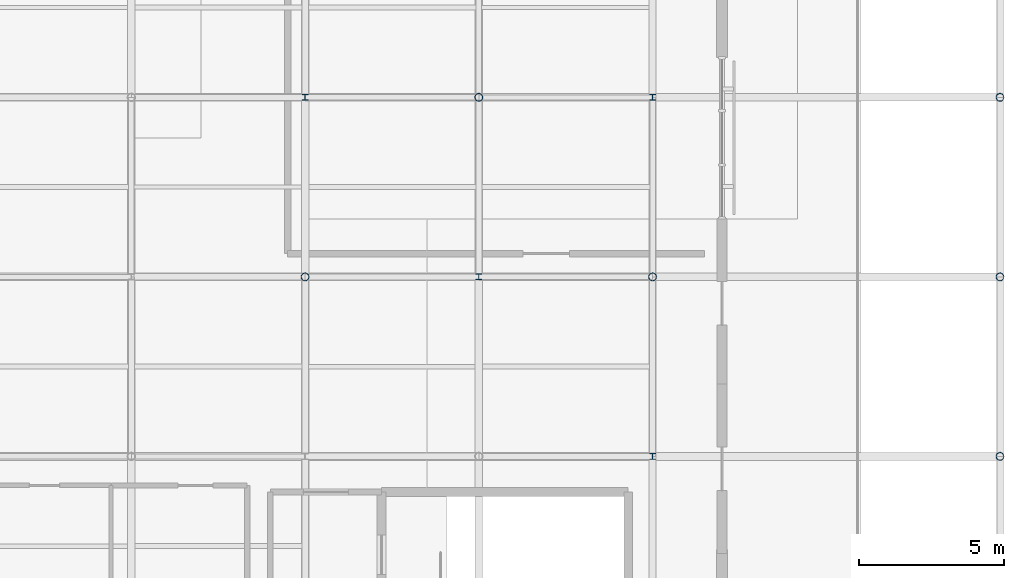
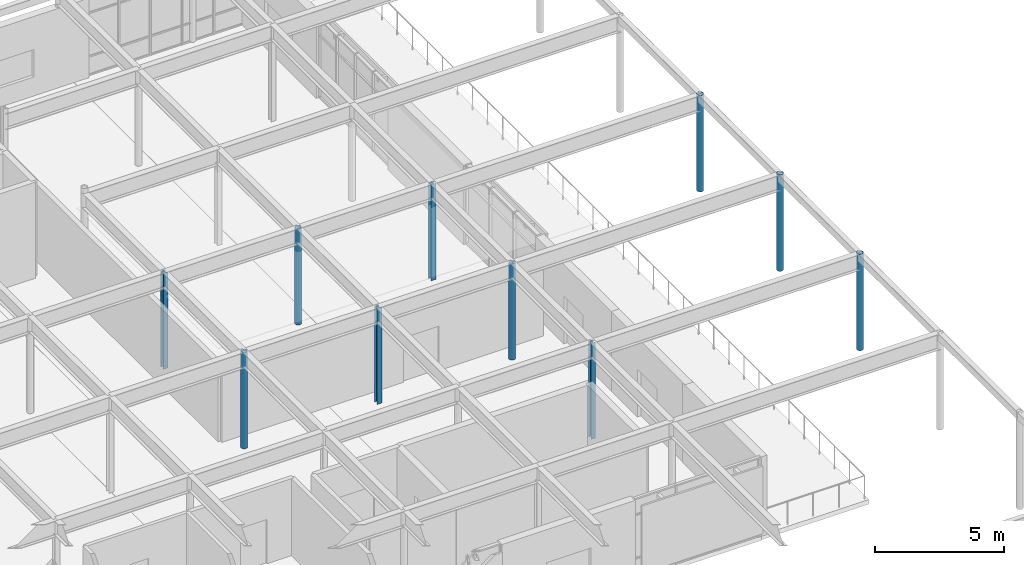
# One storey, part 7 of 48: 10 columns.
"""IFC4 building model written with IfcOpenShell, lengths in metres."""

from ifc_helpers import new_model, si_unit, direction, frame, origin, origin_2d, place, context, subcontext, project, spatial, hollow_circle, i_section, extrude, material, material_profile, profile_set, type_object, element, save


model = new_model("IFC4")

# Units and contexts
model_context = context("Model", 3, precision=1e-05, world=origin(), true_north=direction((0.0, 1.0)))
body_context = subcontext(model_context, "Body", "Model", "MODEL_VIEW")
ifc_project = project(units=[si_unit("LENGTHUNIT", "METRE"), si_unit("AREAUNIT", "SQUARE_METRE"), si_unit("VOLUMEUNIT", "CUBIC_METRE"), si_unit("PLANEANGLEUNIT", "RADIAN"), si_unit("MASSUNIT", "GRAM", prefix="KILO")], contexts=[model_context])

# Site, building, storey
site_placement = place(None, origin())
site = spatial("IfcSite", under=ifc_project, at=site_placement, CompositionType="ELEMENT")
building_placement = place(site_placement, origin())
building = spatial("IfcBuilding", under=site, at=building_placement, Name="Mirzam Square Science Centre", CompositionType="ELEMENT")
storey_placement = place(building_placement, frame((0.0, 0.0, 20.39990234375)))
storey = spatial("IfcBuildingStorey", under=building, at=storey_placement, Name="L04", CompositionType="ELEMENT", Elevation=20.39990234375)

# Columns
ifc_material = material(Name="Steel S355", Category="steel")
ifc_material_profile_1 = material_profile(ifc_material, hollow_circle(Radius=0.136474609375, WallThickness=0.010009765625, at=origin_2d()), Name="273.0x10.0CHS")
ifc_profile_set_1 = profile_set([ifc_material_profile_1], Name="Steel S355")
column_type_1 = type_object("IfcColumnType", Name="COL-CHS273", PredefinedType="COLUMN", material=ifc_profile_set_1)
for number, where, z_axis, x_axis, name in (
    (1, (138.0, 62.0, 0.0), (0.0, 0.0, 1.0), (1.0, 0.0, 0.0), "L04 column G24-11"),
    (2, (144.0, 68.199951171875, 0.0), (0.0, 0.0, 1.0), (1.0, 0.0, 0.0), "L04 column G25-12"),
    (3, (150.0, 62.0, 0.0), (0.0, 0.0, 1.0), (1.0, 0.0, 0.0), "L04 column G26-11"),
):
    element("IfcColumn", number, at=place(storey_placement, frame(where, z_axis=z_axis, x_axis=x_axis)), inside=storey, type_object=column_type_1, Name=name, PredefinedType="COLUMN", context=body_context, shape_type="SweptSolid", body=[
        extrude(hollow_circle(Radius=0.136474609375, WallThickness=0.010009765625, at=origin_2d()), origin(), (0.0, 0.0, 1.0), 4.550048828125),
    ])
for number, where, z_axis, x_axis, name in (
    (4, (162.0, 55.800048828125, 0.0), (0.0, 0.0, 1.0), (1.0, 0.0, 0.0), "L04 column G28-10"),
    (5, (162.0, 62.0, 0.0), (0.0, 0.0, 1.0), (1.0, 0.0, 0.0), "L04 column G28-11"),
    (6, (162.0, 68.199951171875, 0.0), (0.0, 0.0, 1.0), (1.0, 0.0, 0.0), "L04 column G28-12"),
):
    element("IfcColumn", number, at=place(storey_placement, frame(where, z_axis=z_axis, x_axis=x_axis)), inside=storey, type_object=column_type_1, Name=name, PredefinedType="COLUMN", context=body_context, shape_type="SweptSolid", body=[
        extrude(hollow_circle(Radius=0.136474609375, WallThickness=0.010009765625, at=origin_2d()), origin(), (0.0, 0.0, 1.0), 4.570068359375),
    ])
ifc_material_profile_2 = material_profile(ifc_material, i_section(OverallWidth=0.205810546875, OverallDepth=0.209716796875, WebThickness=0.009521484375, FlangeThickness=0.01416015625, FilletRadius=0.01025390625, at=origin_2d()), Name="203x203x60UC")
ifc_profile_set_2 = profile_set([ifc_material_profile_2], Name="Steel S355")
column_type_2 = type_object("IfcColumnType", Name="COL-UC203A", PredefinedType="COLUMN", material=ifc_profile_set_2)
for number, where, z_axis, x_axis, name in (
    (7, (138.0, 68.199951171875, 0.0), (0.0, 0.0, 1.0), (1.0, 0.0, 0.0), "L04 column G24-12"),
    (8, (144.0, 62.0, 0.0), (0.0, 0.0, 1.0), (1.0, 0.0, 0.0), "L04 column G25-11"),
    (9, (150.0, 55.800048828125, 0.0), (0.0, 0.0, 1.0), (1.0, 0.0, 0.0), "L04 column G26-10"),
    (10, (150.0, 68.199951171875, 0.0), (0.0, 0.0, 1.0), (1.0, 0.0, 0.0), "L04 column G26-12"),
):
    element("IfcColumn", number, at=place(storey_placement, frame(where, z_axis=z_axis, x_axis=x_axis)), inside=storey, type_object=column_type_2, Name=name, PredefinedType="COLUMN", context=body_context, shape_type="SweptSolid", body=[
        extrude(i_section(OverallWidth=0.205810546875, OverallDepth=0.209716796875, WebThickness=0.009521484375, FlangeThickness=0.01416015625, FilletRadius=0.01025390625, at=origin_2d()), origin(), (0.0, 0.0, 1.0), 4.550048828125),
    ])

save(model, "model.ifc")
